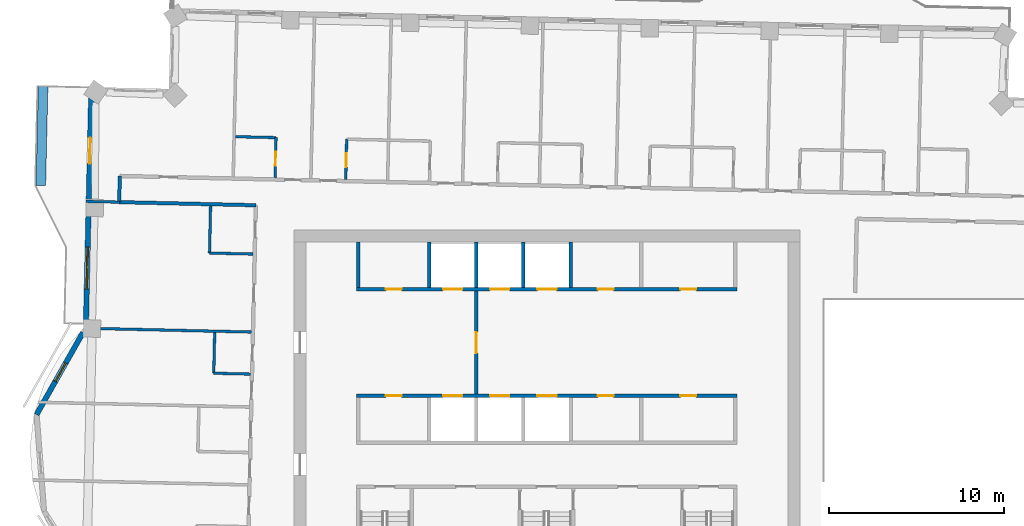
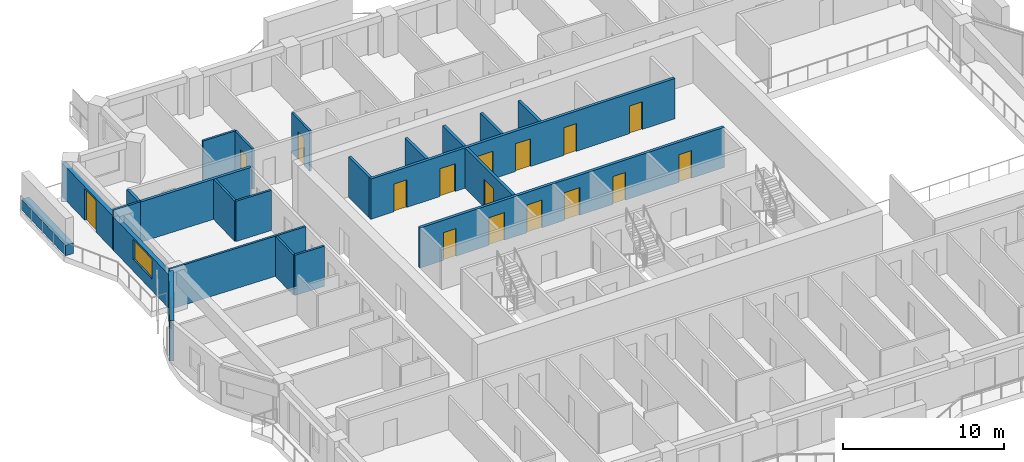
# One storey, part 10 of 17: 22 walls, 16 doors, 2 windows, 18 openings.
"""IFC4 building model written with IfcOpenShell, lengths in metres."""

from ifc_helpers import new_model, si_unit, direction, frame, frame_2d, origin, place, context, subcontext, project, spatial, rectangle, extrude, material, layer, layer_set, type_object, element, fill, save


model = new_model("IFC4")

# Units and contexts
model_context = context("Model", 3, precision=1e-05, world=origin(), true_north=direction((0.0, 1.0)))
body_context = subcontext(model_context, "Body", "Model", "MODEL_VIEW")
ifc_project = project(units=[si_unit("LENGTHUNIT", "METRE"), si_unit("AREAUNIT", "SQUARE_METRE"), si_unit("VOLUMEUNIT", "CUBIC_METRE"), si_unit("PLANEANGLEUNIT", "RADIAN"), si_unit("MASSUNIT", "GRAM", prefix="KILO")], contexts=[model_context])

# Site, building, storey
site_placement = place(None, origin())
site = spatial("IfcSite", under=ifc_project, at=site_placement, CompositionType="ELEMENT")
building_placement = place(site_placement, origin())
building = spatial("IfcBuilding", under=site, at=building_placement, Name="Mangrove Gate Tower", CompositionType="ELEMENT")
storey_placement = place(building_placement, frame((0.0, 0.0, 271.699951171875)))
storey = spatial("IfcBuildingStorey", under=building, at=storey_placement, Name="L69", CompositionType="ELEMENT", Elevation=271.699951171875)

# Wall, opening, door
ifc_material_1 = material(Name="Concrete C32/40", Category="concrete")
ifc_layer_1 = layer(ifc_material_1, 0.199951171875)
ifc_layer_set_1 = layer_set([ifc_layer_1], Name="Core lobby wall 200 C32/40")
wall_type_1 = type_object("IfcWallType", Name="Core lobby wall 200 C32/40", PredefinedType="STANDARD", material=ifc_layer_set_1)
wall_1_placement = place(storey_placement, frame((-4.050048828125, 2.10009765625, 0.0), z_axis=(0.0, 0.0, 1.0), x_axis=(0.0, 1.0, 0.0)))
wall_1 = element("IfcWall", 1, at=wall_1_placement, inside=storey, type_object=wall_type_1, Name="WALL-L69-CORE-33", PredefinedType="STANDARD", context=body_context, shape_type="SweptSolid", body=[
    extrude(rectangle(XDim=5.89990234375, YDim=0.199951171875, at=frame_2d((2.949951171875, 0.0))), origin(), (0.0, 0.0, 1.0), 3.050048828125),
])
opening_1_placement = place(wall_1_placement, frame((2.35009765625, 0.0, 0.0)))
opening_1 = element("IfcOpeningElement", 2, at=opening_1_placement, cuts=wall_1, Name="Opening FL12", PredefinedType="OPENING", context=body_context, shape_type="SweptSolid", body=[
    extrude(rectangle(XDim=1.199951171875, YDim=2.10009765625, at=frame_2d((0.60009765625, 1.050048828125))), frame((0.0, 0.10986328125, 0.0), z_axis=(0.0, -1.0, 0.0), x_axis=(1.0, 0.0, 0.0)), (0.0, 0.0, 1.0), 0.219970703125),
])
ifc_material_2 = material(Name="Fire-rated steel door set", Category="steel")
door_type_1 = type_object("IfcDoorType", Name="Lobby door FD60 1200x2100", OperationType="SINGLE_SWING_LEFT", PredefinedType="DOOR", material=ifc_material_2)
door_1_placement = place(opening_1_placement, origin())
door_1 = element("IfcDoor", 3, at=door_1_placement, inside=storey, type_object=door_type_1, Name="Lobby door lift lobby partition", OperationType="SINGLE_SWING_LEFT", OverallHeight=2.10009765625, OverallWidth=1.199951171875, PredefinedType="DOOR", context=body_context, shape_type="SweptSolid", body=[
    extrude(rectangle(XDim=1.199951171875, YDim=2.10009765625, at=frame_2d((0.60009765625, 1.050048828125))), frame((0.0, 0.02490234375, 0.0), z_axis=(0.0, -1.0, 0.0), x_axis=(1.0, 0.0, 0.0)), (0.0, 0.0, 1.0), 0.050048828125),
])
fill(opening_1, door_1)

# Wall
ifc_material_3 = material(Name="Concrete C32/40", Category="concrete")
ifc_layer_2 = layer(ifc_material_3, 0.199951171875)
ifc_layer_set_2 = layer_set([ifc_layer_2], Name="Core room wall 200 C32/40")
wall_type_2 = type_object("IfcWallType", Name="Core room wall 200 C32/40", PredefinedType="STANDARD", material=ifc_layer_set_2)
wall_2_placement = place(storey_placement, frame((-10.800048828125, 8.199951171875, 0.0), z_axis=(0.0, 0.0, 1.0), x_axis=(0.0, 1.0, 0.0)))
element("IfcWall", 4, at=wall_2_placement, inside=storey, type_object=wall_type_2, Name="WALL-L69-CORE-26", PredefinedType="STANDARD", context=body_context, shape_type="SweptSolid", body=[
    extrude(rectangle(XDim=2.60009765625, YDim=0.199951171875, at=frame_2d((1.300048828125, 0.0))), origin(), (0.0, 0.0, 1.0), 3.050048828125),
])

# Wall, openings, doors
ifc_material_4 = material(Name="Concrete C50/60", Category="concrete")
ifc_layer_3 = layer(ifc_material_4, 0.199951171875)
ifc_layer_set_3 = layer_set([ifc_layer_3], Name="Core shaft wall 200 C50/60")
wall_type_3 = type_object("IfcWallType", Name="Core shaft wall 200 C50/60", PredefinedType="SHEAR", material=ifc_layer_set_3)
wall_3_placement = place(storey_placement, frame((-10.89990234375, 2.0, 0.0), z_axis=(0.0, 0.0, 1.0), x_axis=(1.0, 0.0, 0.0)))
wall_3 = element("IfcWall", 5, at=wall_3_placement, inside=storey, type_object=wall_type_3, Name="WALL-L69-CORE-7", PredefinedType="SHEAR", context=body_context, shape_type="SweptSolid", body=[
    extrude(rectangle(XDim=21.7998046875, YDim=0.199951171875, at=frame_2d((10.89990234375, 0.0))), origin(), (0.0, 0.0, 1.0), 3.050048828125),
])
opening_2_placement = place(wall_3_placement, frame((4.949951171875, 0.0, 0.0)))
opening_2 = element("IfcOpeningElement", 6, at=opening_2_placement, cuts=wall_3, Name="Opening LD", PredefinedType="OPENING", context=body_context, shape_type="SweptSolid", body=[
    extrude(rectangle(XDim=1.10009765625, YDim=2.10009765625, at=frame_2d((0.550048828125, 1.050048828125))), frame((0.0, 0.10986328125, 0.0), z_axis=(0.0, -1.0, 0.0), x_axis=(1.0, 0.0, 0.0)), (0.0, 0.0, 1.0), 0.219970703125),
])
opening_3_placement = place(wall_3_placement, frame((7.64990234375, 0.0, 0.0)))
opening_3 = element("IfcOpeningElement", 7, at=opening_3_placement, cuts=wall_3, Name="Opening LD", PredefinedType="OPENING", context=body_context, shape_type="SweptSolid", body=[
    extrude(rectangle(XDim=1.10009765625, YDim=2.10009765625, at=frame_2d((0.550048828125, 1.050048828125))), frame((0.0, 0.10986328125, 0.0), z_axis=(0.0, -1.0, 0.0), x_axis=(1.0, 0.0, 0.0)), (0.0, 0.0, 1.0), 0.219970703125),
])
opening_4_placement = place(wall_3_placement, frame((10.35009765625, 0.0, 0.0)))
opening_4 = element("IfcOpeningElement", 8, at=opening_4_placement, cuts=wall_3, Name="Opening LD", PredefinedType="OPENING", context=body_context, shape_type="SweptSolid", body=[
    extrude(rectangle(XDim=1.10009765625, YDim=2.10009765625, at=frame_2d((0.550048828125, 1.050048828125))), frame((0.0, 0.10986328125, 0.0), z_axis=(0.0, -1.0, 0.0), x_axis=(1.0, 0.0, 0.0)), (0.0, 0.0, 1.0), 0.219970703125),
])
opening_5_placement = place(wall_3_placement, frame((1.675048828125, 0.0, 0.0)))
opening_5 = element("IfcOpeningElement", 9, at=opening_5_placement, cuts=wall_3, Name="Opening KD", PredefinedType="OPENING", context=body_context, shape_type="SweptSolid", body=[
    extrude(rectangle(XDim=0.89990234375, YDim=2.10009765625, at=frame_2d((0.449951171875, 1.050048828125))), frame((0.0, 0.10986328125, 0.0), z_axis=(0.0, -1.0, 0.0), x_axis=(1.0, 0.0, 0.0)), (0.0, 0.0, 1.0), 0.219970703125),
])
opening_6_placement = place(wall_3_placement, frame((13.824951171875, 0.0, 0.0)))
opening_6 = element("IfcOpeningElement", 10, at=opening_6_placement, cuts=wall_3, Name="Opening RD", PredefinedType="OPENING", context=body_context, shape_type="SweptSolid", body=[
    extrude(rectangle(XDim=0.89990234375, YDim=2.10009765625, at=frame_2d((0.449951171875, 1.050048828125))), frame((0.0, 0.10986328125, 0.0), z_axis=(0.0, -1.0, 0.0), x_axis=(1.0, 0.0, 0.0)), (0.0, 0.0, 1.0), 0.219970703125),
])
opening_7_placement = place(wall_3_placement, frame((18.550048828125, 0.0, 0.0)))
opening_7 = element("IfcOpeningElement", 11, at=opening_7_placement, cuts=wall_3, Name="Opening KD", PredefinedType="OPENING", context=body_context, shape_type="SweptSolid", body=[
    extrude(rectangle(XDim=0.89990234375, YDim=2.10009765625, at=frame_2d((0.449951171875, 1.050048828125))), frame((0.0, 0.10986328125, 0.0), z_axis=(0.0, -1.0, 0.0), x_axis=(1.0, 0.0, 0.0)), (0.0, 0.0, 1.0), 0.219970703125),
])
ifc_material_5 = material(Name="Fire-rated steel door set", Category="steel")
door_type_2 = type_object("IfcDoorType", Name="Core room door FD30S 900x2100", OperationType="SINGLE_SWING_RIGHT", PredefinedType="DOOR", material=ifc_material_5)
door_2_placement = place(opening_5_placement, origin())
door_2 = element("IfcDoor", 12, at=door_2_placement, inside=storey, type_object=door_type_2, Name="Core room door Refuse store", OperationType="SINGLE_SWING_RIGHT", OverallHeight=2.10009765625, OverallWidth=0.89990234375, PredefinedType="DOOR", context=body_context, shape_type="SweptSolid", body=[
    extrude(rectangle(XDim=0.89990234375, YDim=2.10009765625, at=frame_2d((0.449951171875, 1.050048828125))), frame((0.0, 0.02490234375, 0.0), z_axis=(0.0, -1.0, 0.0), x_axis=(1.0, 0.0, 0.0)), (0.0, 0.0, 1.0), 0.050048828125),
])
fill(opening_5, door_2)
door_3_placement = place(opening_7_placement, origin())
door_3 = element("IfcDoor", 13, at=door_3_placement, inside=storey, type_object=door_type_2, Name="Core room door Linen store", OperationType="SINGLE_SWING_RIGHT", OverallHeight=2.10009765625, OverallWidth=0.89990234375, PredefinedType="DOOR", context=body_context, shape_type="SweptSolid", body=[
    extrude(rectangle(XDim=0.89990234375, YDim=2.10009765625, at=frame_2d((0.449951171875, 1.050048828125))), frame((0.0, 0.02490234375, 0.0), z_axis=(0.0, -1.0, 0.0), x_axis=(1.0, 0.0, 0.0)), (0.0, 0.0, 1.0), 0.050048828125),
])
fill(opening_7, door_3)
ifc_material_6 = material(Name="Stainless steel 316", Category="steel")
door_type_3 = type_object("IfcDoorType", Name="Lift landing door 1100x2100", OperationType="SLIDING_TO_LEFT", PredefinedType="DOOR", material=ifc_material_6)
door_4_placement = place(opening_2_placement, origin())
door_4 = element("IfcDoor", 14, at=door_4_placement, inside=storey, type_object=door_type_3, Name="Landing door LD H01", OperationType="SLIDING_TO_LEFT", OverallHeight=2.10009765625, OverallWidth=1.10009765625, PredefinedType="DOOR", context=body_context, shape_type="SweptSolid", body=[
    extrude(rectangle(XDim=1.10009765625, YDim=2.10009765625, at=frame_2d((0.550048828125, 1.050048828125))), frame((0.0, 0.02490234375, 0.0), z_axis=(0.0, -1.0, 0.0), x_axis=(1.0, 0.0, 0.0)), (0.0, 0.0, 1.0), 0.050048828125),
])
fill(opening_2, door_4)
door_5_placement = place(opening_3_placement, origin())
door_5 = element("IfcDoor", 15, at=door_5_placement, inside=storey, type_object=door_type_3, Name="Landing door LD H02", OperationType="SLIDING_TO_LEFT", OverallHeight=2.10009765625, OverallWidth=1.10009765625, PredefinedType="DOOR", context=body_context, shape_type="SweptSolid", body=[
    extrude(rectangle(XDim=1.10009765625, YDim=2.10009765625, at=frame_2d((0.550048828125, 1.050048828125))), frame((0.0, 0.02490234375, 0.0), z_axis=(0.0, -1.0, 0.0), x_axis=(1.0, 0.0, 0.0)), (0.0, 0.0, 1.0), 0.050048828125),
])
fill(opening_3, door_5)
door_6_placement = place(opening_4_placement, origin())
door_6 = element("IfcDoor", 16, at=door_6_placement, inside=storey, type_object=door_type_3, Name="Landing door LD H03", OperationType="SLIDING_TO_LEFT", OverallHeight=2.10009765625, OverallWidth=1.10009765625, PredefinedType="DOOR", context=body_context, shape_type="SweptSolid", body=[
    extrude(rectangle(XDim=1.10009765625, YDim=2.10009765625, at=frame_2d((0.550048828125, 1.050048828125))), frame((0.0, 0.02490234375, 0.0), z_axis=(0.0, -1.0, 0.0), x_axis=(1.0, 0.0, 0.0)), (0.0, 0.0, 1.0), 0.050048828125),
])
fill(opening_4, door_6)
ifc_material_7 = material(Name="Fire-rated steel door set", Category="steel")
door_type_4 = type_object("IfcDoorType", Name="Riser door FD30S 900x2100", OperationType="SINGLE_SWING_LEFT", PredefinedType="DOOR", material=ifc_material_7)
door_7_placement = place(opening_6_placement, origin())
door_7 = element("IfcDoor", 17, at=door_7_placement, inside=storey, type_object=door_type_4, Name="Riser door Electrical room", OperationType="SINGLE_SWING_LEFT", OverallHeight=2.10009765625, OverallWidth=0.89990234375, PredefinedType="DOOR", context=body_context, shape_type="SweptSolid", body=[
    extrude(rectangle(XDim=0.89990234375, YDim=2.10009765625, at=frame_2d((0.449951171875, 1.050048828125))), frame((0.0, 0.02490234375, 0.0), z_axis=(0.0, -1.0, 0.0), x_axis=(1.0, 0.0, 0.0)), (0.0, 0.0, 1.0), 0.050048828125),
])
fill(opening_6, door_7)

wall_4_placement = place(storey_placement, frame((-10.89990234375, 8.10009765625, 0.0), z_axis=(0.0, 0.0, 1.0), x_axis=(1.0, 0.0, 0.0)))
wall_4 = element("IfcWall", 18, at=wall_4_placement, inside=storey, type_object=wall_type_3, Name="WALL-L69-CORE-8", PredefinedType="SHEAR", context=body_context, shape_type="SweptSolid", body=[
    extrude(rectangle(XDim=21.7998046875, YDim=0.199951171875, at=frame_2d((10.89990234375, 0.0))), origin(), (0.0, 0.0, 1.0), 3.050048828125),
])
opening_8_placement = place(wall_4_placement, frame((4.949951171875, 0.0, 0.0)))
opening_8 = element("IfcOpeningElement", 19, at=opening_8_placement, cuts=wall_4, Name="Opening LD", PredefinedType="OPENING", context=body_context, shape_type="SweptSolid", body=[
    extrude(rectangle(XDim=1.10009765625, YDim=2.10009765625, at=frame_2d((0.550048828125, 1.050048828125))), frame((0.0, 0.10986328125, 0.0), z_axis=(0.0, -1.0, 0.0), x_axis=(1.0, 0.0, 0.0)), (0.0, 0.0, 1.0), 0.219970703125),
])
opening_9_placement = place(wall_4_placement, frame((7.64990234375, 0.0, 0.0)))
opening_9 = element("IfcOpeningElement", 20, at=opening_9_placement, cuts=wall_4, Name="Opening LD", PredefinedType="OPENING", context=body_context, shape_type="SweptSolid", body=[
    extrude(rectangle(XDim=1.10009765625, YDim=2.10009765625, at=frame_2d((0.550048828125, 1.050048828125))), frame((0.0, 0.10986328125, 0.0), z_axis=(0.0, -1.0, 0.0), x_axis=(1.0, 0.0, 0.0)), (0.0, 0.0, 1.0), 0.219970703125),
])
opening_10_placement = place(wall_4_placement, frame((10.35009765625, 0.0, 0.0)))
opening_10 = element("IfcOpeningElement", 21, at=opening_10_placement, cuts=wall_4, Name="Opening LD", PredefinedType="OPENING", context=body_context, shape_type="SweptSolid", body=[
    extrude(rectangle(XDim=1.10009765625, YDim=2.10009765625, at=frame_2d((0.550048828125, 1.050048828125))), frame((0.0, 0.10986328125, 0.0), z_axis=(0.0, -1.0, 0.0), x_axis=(1.0, 0.0, 0.0)), (0.0, 0.0, 1.0), 0.219970703125),
])
opening_11_placement = place(wall_4_placement, frame((1.675048828125, 0.0, 0.0)))
opening_11 = element("IfcOpeningElement", 22, at=opening_11_placement, cuts=wall_4, Name="Opening RD", PredefinedType="OPENING", context=body_context, shape_type="SweptSolid", body=[
    extrude(rectangle(XDim=0.89990234375, YDim=2.10009765625, at=frame_2d((0.449951171875, 1.050048828125))), frame((0.0, 0.10986328125, 0.0), z_axis=(0.0, -1.0, 0.0), x_axis=(1.0, 0.0, 0.0)), (0.0, 0.0, 1.0), 0.219970703125),
])
opening_12_placement = place(wall_4_placement, frame((13.824951171875, 0.0, 0.0)))
opening_12 = element("IfcOpeningElement", 23, at=opening_12_placement, cuts=wall_4, Name="Opening RD", PredefinedType="OPENING", context=body_context, shape_type="SweptSolid", body=[
    extrude(rectangle(XDim=0.89990234375, YDim=2.10009765625, at=frame_2d((0.449951171875, 1.050048828125))), frame((0.0, 0.10986328125, 0.0), z_axis=(0.0, -1.0, 0.0), x_axis=(1.0, 0.0, 0.0)), (0.0, 0.0, 1.0), 0.219970703125),
])
opening_13_placement = place(wall_4_placement, frame((18.550048828125, 0.0, 0.0)))
opening_13 = element("IfcOpeningElement", 24, at=opening_13_placement, cuts=wall_4, Name="Opening KD", PredefinedType="OPENING", context=body_context, shape_type="SweptSolid", body=[
    extrude(rectangle(XDim=0.89990234375, YDim=2.10009765625, at=frame_2d((0.449951171875, 1.050048828125))), frame((0.0, 0.10986328125, 0.0), z_axis=(0.0, -1.0, 0.0), x_axis=(1.0, 0.0, 0.0)), (0.0, 0.0, 1.0), 0.219970703125),
])
door_8_placement = place(opening_13_placement, origin())
door_8 = element("IfcDoor", 25, at=door_8_placement, inside=storey, type_object=door_type_2, Name="Core room door Core WC", OperationType="SINGLE_SWING_RIGHT", OverallHeight=2.10009765625, OverallWidth=0.89990234375, PredefinedType="DOOR", context=body_context, shape_type="SweptSolid", body=[
    extrude(rectangle(XDim=0.89990234375, YDim=2.10009765625, at=frame_2d((0.449951171875, 1.050048828125))), frame((0.0, 0.02490234375, 0.0), z_axis=(0.0, -1.0, 0.0), x_axis=(1.0, 0.0, 0.0)), (0.0, 0.0, 1.0), 0.050048828125),
])
fill(opening_13, door_8)
door_9_placement = place(opening_8_placement, origin())
door_9 = element("IfcDoor", 26, at=door_9_placement, inside=storey, type_object=door_type_3, Name="Landing door LD H04", OperationType="SLIDING_TO_LEFT", OverallHeight=2.10009765625, OverallWidth=1.10009765625, PredefinedType="DOOR", context=body_context, shape_type="SweptSolid", body=[
    extrude(rectangle(XDim=1.10009765625, YDim=2.10009765625, at=frame_2d((0.550048828125, 1.050048828125))), frame((0.0, 0.02490234375, 0.0), z_axis=(0.0, -1.0, 0.0), x_axis=(1.0, 0.0, 0.0)), (0.0, 0.0, 1.0), 0.050048828125),
])
fill(opening_8, door_9)
door_10_placement = place(opening_9_placement, origin())
door_10 = element("IfcDoor", 27, at=door_10_placement, inside=storey, type_object=door_type_3, Name="Landing door LD H05", OperationType="SLIDING_TO_LEFT", OverallHeight=2.10009765625, OverallWidth=1.10009765625, PredefinedType="DOOR", context=body_context, shape_type="SweptSolid", body=[
    extrude(rectangle(XDim=1.10009765625, YDim=2.10009765625, at=frame_2d((0.550048828125, 1.050048828125))), frame((0.0, 0.02490234375, 0.0), z_axis=(0.0, -1.0, 0.0), x_axis=(1.0, 0.0, 0.0)), (0.0, 0.0, 1.0), 0.050048828125),
])
fill(opening_9, door_10)
door_11_placement = place(opening_10_placement, origin())
door_11 = element("IfcDoor", 28, at=door_11_placement, inside=storey, type_object=door_type_3, Name="Landing door LD H06", OperationType="SLIDING_TO_LEFT", OverallHeight=2.10009765625, OverallWidth=1.10009765625, PredefinedType="DOOR", context=body_context, shape_type="SweptSolid", body=[
    extrude(rectangle(XDim=1.10009765625, YDim=2.10009765625, at=frame_2d((0.550048828125, 1.050048828125))), frame((0.0, 0.02490234375, 0.0), z_axis=(0.0, -1.0, 0.0), x_axis=(1.0, 0.0, 0.0)), (0.0, 0.0, 1.0), 0.050048828125),
])
fill(opening_10, door_11)
door_12_placement = place(opening_11_placement, origin())
door_12 = element("IfcDoor", 29, at=door_12_placement, inside=storey, type_object=door_type_4, Name="Riser door Switch room", OperationType="SINGLE_SWING_LEFT", OverallHeight=2.10009765625, OverallWidth=0.89990234375, PredefinedType="DOOR", context=body_context, shape_type="SweptSolid", body=[
    extrude(rectangle(XDim=0.89990234375, YDim=2.10009765625, at=frame_2d((0.449951171875, 1.050048828125))), frame((0.0, 0.02490234375, 0.0), z_axis=(0.0, -1.0, 0.0), x_axis=(1.0, 0.0, 0.0)), (0.0, 0.0, 1.0), 0.050048828125),
])
fill(opening_11, door_12)
door_13_placement = place(opening_12_placement, origin())
door_13 = element("IfcDoor", 30, at=door_13_placement, inside=storey, type_object=door_type_4, Name="Riser door Comms room", OperationType="SINGLE_SWING_LEFT", OverallHeight=2.10009765625, OverallWidth=0.89990234375, PredefinedType="DOOR", context=body_context, shape_type="SweptSolid", body=[
    extrude(rectangle(XDim=0.89990234375, YDim=2.10009765625, at=frame_2d((0.449951171875, 1.050048828125))), frame((0.0, 0.02490234375, 0.0), z_axis=(0.0, -1.0, 0.0), x_axis=(1.0, 0.0, 0.0)), (0.0, 0.0, 1.0), 0.050048828125),
])
fill(opening_12, door_13)

# Walls
for number, where, z_axis, x_axis, name in (
    (31, (-6.75, 8.199951171875, 0.0), (0.0, 0.0, 1.0), (0.0, 1.0, 0.0), "WALL-L69-CORE-27"),
    (32, (-4.050048828125, 8.199951171875, 0.0), (0.0, 0.0, 1.0), (0.0, 1.0, 0.0), "WALL-L69-CORE-28"),
    (33, (-1.35009765625, 8.199951171875, 0.0), (0.0, 0.0, 1.0), (0.0, 1.0, 0.0), "WALL-L69-CORE-29"),
    (34, (1.35009765625, 8.199951171875, 0.0), (0.0, 0.0, 1.0), (0.0, 1.0, 0.0), "WALL-L69-CORE-30"),
):
    element("IfcWall", number, at=place(storey_placement, frame(where, z_axis=z_axis, x_axis=x_axis)), inside=storey, type_object=wall_type_3, Name=name, PredefinedType="SHEAR", context=body_context, shape_type="SweptSolid", body=[
        extrude(rectangle(XDim=2.60009765625, YDim=0.199951171875, at=frame_2d((1.300048828125, 0.0))), origin(), (0.0, 0.0, 1.0), 3.050048828125),
    ])
ifc_material_8 = material(Name="Gypsum board on steel stud, EI 60", Category="steel")
ifc_layer_4 = layer(ifc_material_8, 0.199951171875)
ifc_layer_set_4 = layer_set([ifc_layer_4], Name="Corridor wall EI 60")
wall_type_4 = type_object("IfcWallType", Name="Corridor wall EI 60", PredefinedType="PARTITIONING", material=ifc_layer_set_4)
wall_5_placement = place(storey_placement, frame((-24.511962890625, 13.095947265625, 0.0), z_axis=(0.0, 0.0, 1.0), x_axis=(0.022617910375, 0.999744182344, 0.0)))
element("IfcWall", 35, at=wall_5_placement, inside=storey, type_object=wall_type_4, Name="WALL-L69-051", PredefinedType="PARTITIONING", context=body_context, shape_type="SweptSolid", body=[
    extrude(rectangle(XDim=1.50048828125, YDim=0.199951171875, at=frame_2d((0.750244140625, 0.0))), origin(), (0.0, 0.0, 1.0), 3.050048828125),
])
wall_6_placement = place(storey_placement, frame((-24.508056640625, 13.095947265625, 0.0), z_axis=(0.0, 0.0, 1.0), x_axis=(0.99974170677, -0.022727070732, 0.0)))
element("IfcWall", 36, at=wall_6_placement, inside=storey, type_object=wall_type_4, Name="WALL-L69-052", PredefinedType="PARTITIONING", context=body_context, shape_type="SweptSolid", body=[
    extrude(rectangle(XDim=7.8310546875, YDim=0.199951171875, at=frame_2d((3.91552734375, 0.0))), origin(), (0.0, 0.0, 1.0), 3.050048828125),
])

# Wall, openings, door, window
ifc_material_9 = material(Name="Limestone", Category="masonry")
ifc_layer_5 = layer(ifc_material_9, 0.0400390625, Name="Limestone cladding")
ifc_material_10 = material(Name="Ventilated air gap")
ifc_layer_6 = layer(ifc_material_10, 0.0400390625, Name="Ventilated cavity")
ifc_material_11 = material(Name="Mineral wool insulation")
ifc_layer_7 = layer(ifc_material_11, 0.06005859375, Name="Insulation")
ifc_material_12 = material(Name="Breather membrane")
ifc_layer_8 = layer(ifc_material_12, 0.001953125, Name="Breather membrane")
ifc_material_13 = material(Name="Concrete C20/25 blockwork", Category="masonry")
ifc_layer_9 = layer(ifc_material_13, 0.14990234375, Name="Blockwork backing wall")
ifc_material_14 = material(Name="Gypsum plaster")
ifc_layer_10 = layer(ifc_material_14, 0.008056640625, Name="Internal plaster")
ifc_layer_set_5 = layer_set([ifc_layer_5, ifc_layer_6, ifc_layer_7, ifc_layer_8, ifc_layer_9, ifc_layer_10], Name="External wall 300 limestone cladding")
wall_type_5 = type_object("IfcWallType", Name="External wall 300 limestone cladding", PredefinedType="SOLIDWALL", material=ifc_layer_set_5)
wall_7_placement = place(storey_placement, frame((-26.10791015625, 19.73193359375, 0.0), z_axis=(0.0, 0.0, 1.0), x_axis=(-0.022700699365, -0.999742305921, 0.0)))
wall_7 = element("IfcWall", 37, at=wall_7_placement, inside=storey, type_object=wall_type_5, Name="WALL-L69-W8s1", PredefinedType="SOLIDWALL", context=body_context, shape_type="SweptSolid", body=[
    extrude(rectangle(XDim=13.927490234375, YDim=0.300048828125, at=frame_2d((6.9638671875, 0.0))), origin(), (0.0, 0.0, 1.0), 2.550048828125),
])
opening_14_placement = place(wall_7_placement, frame((2.93310546875, 0.0, 0.0)))
opening_14 = element("IfcOpeningElement", 38, at=opening_14_placement, cuts=wall_7, Name="Opening BD1", PredefinedType="OPENING", context=body_context, shape_type="SweptSolid", body=[
    extrude(rectangle(XDim=1.5, YDim=2.39990234375, at=frame_2d((0.75, 1.199951171875))), frame((0.0, 0.159912109375, 0.0), z_axis=(0.0, -1.0, 0.0), x_axis=(1.0, 0.0, 0.0)), (0.0, 0.0, 1.0), 0.320068359375),
])
opening_15_placement = place(wall_7_placement, frame((9.216064453125, 0.0, 0.89990234375)))
opening_15 = element("IfcOpeningElement", 39, at=opening_15_placement, cuts=wall_7, Name="Opening W2", PredefinedType="OPENING", context=body_context, shape_type="SweptSolid", body=[
    extrude(rectangle(XDim=2.39990234375, YDim=1.5, at=frame_2d((1.199951171875, 0.75))), frame((0.0, 0.159912109375, 0.0), z_axis=(0.0, -1.0, 0.0), x_axis=(1.0, 0.0, 0.0)), (0.0, 0.0, 1.0), 0.320068359375),
])
ifc_material_15 = material(Name="Aluminium frame with laminated clear glass", Category="aluminium")
door_type_5 = type_object("IfcDoorType", Name="Balcony sliding door 1500x2400", OperationType="SLIDING_TO_LEFT", PredefinedType="DOOR", material=ifc_material_15)
door_14_placement = place(opening_14_placement, origin())
door_14 = element("IfcDoor", 40, at=door_14_placement, inside=storey, type_object=door_type_5, Name="DOOR-L69-W8-1", OperationType="SLIDING_TO_LEFT", OverallHeight=2.39990234375, OverallWidth=1.5, PredefinedType="DOOR", context=body_context, shape_type="SweptSolid", body=[
    extrude(rectangle(XDim=1.5, YDim=2.39990234375, at=frame_2d((0.75, 1.199951171875))), frame((0.0, 0.02490234375, 0.0), z_axis=(0.0, -1.0, 0.0), x_axis=(1.0, 0.0, 0.0)), (0.0, 0.0, 1.0), 0.050048828125),
])
fill(opening_14, door_14)
ifc_material_16 = material(Name="Aluminium frame with double-glazed low-e glass", Category="aluminium")
window_type_1 = type_object("IfcWindowType", Name="Corner room window 2400x1500", PartitioningType="DOUBLE_PANEL_VERTICAL", PredefinedType="WINDOW", material=ifc_material_16)
window_1_placement = place(opening_15_placement, origin())
window_1 = element("IfcWindow", 41, at=window_1_placement, inside=storey, type_object=window_type_1, Name="WIN-L69-W8-2", OverallHeight=1.5, OverallWidth=2.39990234375, PartitioningType="DOUBLE_PANEL_VERTICAL", PredefinedType="WINDOW", context=body_context, shape_type="SweptSolid", body=[
    extrude(rectangle(XDim=2.39990234375, YDim=1.5, at=frame_2d((1.199951171875, 0.75))), frame((0.0, 0.030029296875, 0.0), z_axis=(0.0, -1.0, 0.0), x_axis=(1.0, 0.0, 0.0)), (0.0, 0.0, 1.0), 0.06005859375),
])
fill(opening_15, window_1)

# Wall, opening, window
wall_8_placement = place(storey_placement, frame((-26.589111328125, 5.62109375, 0.0), z_axis=(0.0, 0.0, 1.0), x_axis=(-0.492495436053, -0.870315026566, 0.0)))
wall_8 = element("IfcWall", 42, at=wall_8_placement, inside=storey, type_object=wall_type_5, Name="WALL-L69-W9f1", PredefinedType="SOLIDWALL", context=body_context, shape_type="SweptSolid", body=[
    extrude(rectangle(XDim=5.39697265625, YDim=0.300048828125, at=frame_2d((2.698486328125, 0.0))), origin(), (0.0, 0.0, 1.0), 3.050048828125),
])
opening_16_placement = place(wall_8_placement, frame((2.007080078125, 0.0, 0.89990234375)))
opening_16 = element("IfcOpeningElement", 43, at=opening_16_placement, cuts=wall_8, Name="Opening W1", PredefinedType="OPENING", context=body_context, shape_type="SweptSolid", body=[
    extrude(rectangle(XDim=1.199951171875, YDim=1.5, at=frame_2d((0.60009765625, 0.75))), frame((0.0, 0.159912109375, 0.0), z_axis=(0.0, -1.0, 0.0), x_axis=(1.0, 0.0, 0.0)), (0.0, 0.0, 1.0), 0.320068359375),
])
ifc_material_17 = material(Name="Aluminium frame with double-glazed low-e glass", Category="aluminium")
window_type_2 = type_object("IfcWindowType", Name="Side lite 1200x1500", PartitioningType="SINGLE_PANEL", PredefinedType="WINDOW", material=ifc_material_17)
window_2_placement = place(opening_16_placement, origin())
window_2 = element("IfcWindow", 44, at=window_2_placement, inside=storey, type_object=window_type_2, Name="WIN-L69-W9f1", OverallHeight=1.5, OverallWidth=1.199951171875, PartitioningType="SINGLE_PANEL", PredefinedType="WINDOW", context=body_context, shape_type="SweptSolid", body=[
    extrude(rectangle(XDim=1.199951171875, YDim=1.5, at=frame_2d((0.60009765625, 0.75))), frame((0.0, 0.030029296875, 0.0), z_axis=(0.0, -1.0, 0.0), x_axis=(1.0, 0.0, 0.0)), (0.0, 0.0, 1.0), 0.06005859375),
])
fill(opening_16, window_2)

# Walls
ifc_material_18 = material(Name="Gypsum board on steel stud, EI 60", Category="steel")
ifc_layer_11 = layer(ifc_material_18, 0.14990234375)
ifc_layer_set_6 = layer_set([ifc_layer_11], Name="Party wall 150 EI 60")
wall_type_6 = type_object("IfcWallType", Name="Party wall 150 EI 60", PredefinedType="PARTITIONING", material=ifc_layer_set_6)
wall_9_placement = place(storey_placement, frame((-19.097900390625, 3.291015625, 0.0), z_axis=(0.0, 0.0, 1.0), x_axis=(0.999737555419, -0.022908956429, 0.0)))
element("IfcWall", 45, at=wall_9_placement, inside=storey, type_object=wall_type_6, Name="WALL-L69-044", PredefinedType="PARTITIONING", context=body_context, shape_type="SweptSolid", body=[
    extrude(rectangle(XDim=2.099365234375, YDim=0.14990234375, at=frame_2d((1.0498046875, 0.0))), origin(), (0.0, 0.0, 1.0), 3.050048828125),
])
wall_10_placement = place(storey_placement, frame((-19.093017578125, 3.2958984375, 0.0), z_axis=(0.0, 0.0, 1.0), x_axis=(0.022788198363, 0.99974031529, 0.0)))
element("IfcWall", 46, at=wall_10_placement, inside=storey, type_object=wall_type_6, Name="WALL-L69-045", PredefinedType="PARTITIONING", context=body_context, shape_type="SweptSolid", body=[
    extrude(rectangle(XDim=2.32470703125, YDim=0.14990234375, at=frame_2d((1.162353515625, 0.0))), origin(), (0.0, 0.0, 1.0), 3.050048828125),
])
wall_11_placement = place(storey_placement, frame((-26.572998046875, 5.87109375, 0.0), z_axis=(0.0, 0.0, 1.0), x_axis=(0.999743768709, -0.022636186244, 0.0)))
element("IfcWall", 47, at=wall_11_placement, inside=storey, type_object=wall_type_6, Name="WALL-L69-046", PredefinedType="PARTITIONING", context=body_context, shape_type="SweptSolid", body=[
    extrude(rectangle(XDim=9.63134765625, YDim=0.14990234375, at=frame_2d((4.815673828125, 0.0))), origin(), (0.0, 0.0, 1.0), 3.050048828125),
])
wall_12_placement = place(storey_placement, frame((-19.342041015625, 10.177978515625, 0.0), z_axis=(0.0, 0.0, 1.0), x_axis=(0.999741028149, -0.022756903044, 0.0)))
element("IfcWall", 48, at=wall_12_placement, inside=storey, type_object=wall_type_6, Name="WALL-L69-048", PredefinedType="PARTITIONING", context=body_context, shape_type="SweptSolid", body=[
    extrude(rectangle(XDim=2.499755859375, YDim=0.14990234375, at=frame_2d((1.25, 0.0))), origin(), (0.0, 0.0, 1.0), 3.050048828125),
])
wall_13_placement = place(storey_placement, frame((-19.3369140625, 10.177978515625, 0.0), z_axis=(0.0, 0.0, 1.0), x_axis=(0.02260842146, 0.999744396973, 0.0)))
element("IfcWall", 49, at=wall_13_placement, inside=storey, type_object=wall_type_6, Name="WALL-L69-049", PredefinedType="PARTITIONING", context=body_context, shape_type="SweptSolid", body=[
    extrude(rectangle(XDim=2.69970703125, YDim=0.14990234375, at=frame_2d((1.349853515625, 0.0))), origin(), (0.0, 0.0, 1.0), 3.050048828125),
])
wall_14_placement = place(storey_placement, frame((-26.407958984375, 13.138916015625, 0.0), z_axis=(0.0, 0.0, 1.0), x_axis=(0.999745462568, -0.022561251624, 0.0)))
element("IfcWall", 50, at=wall_14_placement, inside=storey, type_object=wall_type_6, Name="WALL-L69-050", PredefinedType="PARTITIONING", context=body_context, shape_type="SweptSolid", body=[
    extrude(rectangle(XDim=1.904541015625, YDim=0.14990234375, at=frame_2d((0.9521484375, 0.0))), origin(), (0.0, 0.0, 1.0), 3.050048828125),
])

# Wall, opening, door
wall_15_placement = place(storey_placement, frame((-15.577880859375, 14.493896484375, 0.0), z_axis=(0.0, 0.0, 1.0), x_axis=(0.022612884682, 0.999744296031, 0.0)))
wall_15 = element("IfcWall", 51, at=wall_15_placement, inside=storey, type_object=wall_type_6, Name="WALL-L69-058", PredefinedType="PARTITIONING", context=body_context, shape_type="SweptSolid", body=[
    extrude(rectangle(XDim=2.299560546875, YDim=0.14990234375, at=frame_2d((1.14990234375, 0.0))), origin(), (0.0, 0.0, 1.0), 3.050048828125),
])
opening_17_placement = place(wall_15_placement, frame((0.699951171875, 0.0, 0.0)))
opening_17 = element("IfcOpeningElement", 52, at=opening_17_placement, cuts=wall_15, Name="Opening ED", PredefinedType="OPENING", context=body_context, shape_type="SweptSolid", body=[
    extrude(rectangle(XDim=0.800048828125, YDim=2.10009765625, at=frame_2d((0.39990234375, 1.050048828125))), frame((0.0, 0.0849609375, 0.0), z_axis=(0.0, -1.0, 0.0), x_axis=(1.0, 0.0, 0.0)), (0.0, 0.0, 1.0), 0.169921875),
])
ifc_material_19 = material(Name="Timber door leaf", Category="wood")
door_type_6 = type_object("IfcDoorType", Name="En-suite door 800", OperationType="SINGLE_SWING_LEFT", PredefinedType="DOOR", material=ifc_material_19)
door_15_placement = place(opening_17_placement, origin())
door_15 = element("IfcDoor", 53, at=door_15_placement, inside=storey, type_object=door_type_6, Name="DOOR-L69-ENS-c517", OperationType="SINGLE_SWING_LEFT", OverallHeight=2.10009765625, OverallWidth=0.800048828125, PredefinedType="DOOR", context=body_context, shape_type="SweptSolid", body=[
    extrude(rectangle(XDim=0.800048828125, YDim=2.10009765625, at=frame_2d((0.39990234375, 1.050048828125))), frame((0.0, 0.02490234375, 0.0), z_axis=(0.0, -1.0, 0.0), x_axis=(1.0, 0.0, 0.0)), (0.0, 0.0, 1.0), 0.050048828125),
])
fill(opening_17, door_15)

wall_16_placement = place(storey_placement, frame((-11.529052734375, 14.402099609375, 0.0), z_axis=(0.0, 0.0, 1.0), x_axis=(0.022615284993, 0.999744241736, 0.0)))
wall_16 = element("IfcWall", 54, at=wall_16_placement, inside=storey, type_object=wall_type_6, Name="WALL-L69-060", PredefinedType="PARTITIONING", context=body_context, shape_type="SweptSolid", body=[
    extrude(rectangle(XDim=2.29931640625, YDim=0.14990234375, at=frame_2d((1.149658203125, 0.0))), origin(), (0.0, 0.0, 1.0), 3.050048828125),
])
opening_18_placement = place(wall_16_placement, frame((0.699951171875, 0.0, 0.0)))
opening_18 = element("IfcOpeningElement", 55, at=opening_18_placement, cuts=wall_16, Name="Opening ED", PredefinedType="OPENING", context=body_context, shape_type="SweptSolid", body=[
    extrude(rectangle(XDim=0.800048828125, YDim=2.10009765625, at=frame_2d((0.39990234375, 1.050048828125))), frame((0.0, 0.0849609375, 0.0), z_axis=(0.0, -1.0, 0.0), x_axis=(1.0, 0.0, 0.0)), (0.0, 0.0, 1.0), 0.169921875),
])
door_16_placement = place(opening_18_placement, origin())
door_16 = element("IfcDoor", 56, at=door_16_placement, inside=storey, type_object=door_type_6, Name="DOOR-L69-ENS-c516", OperationType="SINGLE_SWING_RIGHT", OverallHeight=2.10009765625, OverallWidth=0.800048828125, PredefinedType="DOOR", context=body_context, shape_type="SweptSolid", body=[
    extrude(rectangle(XDim=0.800048828125, YDim=2.10009765625, at=frame_2d((0.39990234375, 1.050048828125))), frame((0.0, 0.02490234375, 0.0), z_axis=(0.0, -1.0, 0.0), x_axis=(1.0, 0.0, 0.0)), (0.0, 0.0, 1.0), 0.050048828125),
])
fill(opening_18, door_16)

# Walls
wall_17_placement = place(storey_placement, frame((-17.845947265625, 16.845947265625, 0.0), z_axis=(0.0, 0.0, 1.0), x_axis=(0.999740260747, -0.02279059109, 0.0)))
element("IfcWall", 57, at=wall_17_placement, inside=storey, type_object=wall_type_6, Name="WALL-L69-077", PredefinedType="PARTITIONING", context=body_context, shape_type="SweptSolid", body=[
    extrude(rectangle(XDim=2.324462890625, YDim=0.14990234375, at=frame_2d((1.162109375, 0.0))), origin(), (0.0, 0.0, 1.0), 3.050048828125),
])
ifc_material_20 = material(Name="Concrete C32/40", Category="concrete")
ifc_layer_12 = layer(ifc_material_20, 0.199951171875, Name="Planter trough wall")
ifc_material_21 = material(Name="Bituminous waterproofing membrane")
ifc_layer_13 = layer(ifc_material_21, 0.0048828125, Name="Waterproofing")
ifc_material_22 = material(Name="Drainage board and gravel")
ifc_layer_14 = layer(ifc_material_22, 0.044921875, Name="Drainage layer")
ifc_material_23 = material(Name="Planting soil")
ifc_layer_15 = layer(ifc_material_23, 0.300048828125, Name="Growing medium")
ifc_layer_set_7 = layer_set([ifc_layer_12, ifc_layer_13, ifc_layer_14, ifc_layer_15], Name="Planter wall 550 C32/40")
wall_type_7 = type_object("IfcWallType", Name="Planter wall 550 C32/40", PredefinedType="USERDEFINED", material=ifc_layer_set_7)
wall_18_placement = place(storey_placement, frame((-29.0029296875, 14.049072265625, 0.0), z_axis=(0.0, 0.0, 1.0), x_axis=(0.022788544648, 0.999740307396, 0.0)))
element("IfcWall", 58, at=wall_18_placement, inside=storey, type_object=wall_type_7, Name="PLANTER L69 W0.1", ObjectType="PLANTER", PredefinedType="USERDEFINED", context=body_context, shape_type="SweptSolid", body=[
    extrude(rectangle(XDim=5.699462890625, YDim=0.550048828125, at=frame_2d((2.849609375, 0.0))), origin(), (0.0, 0.0, 1.0), 0.800048828125),
])

save(model, "model.ifc")
